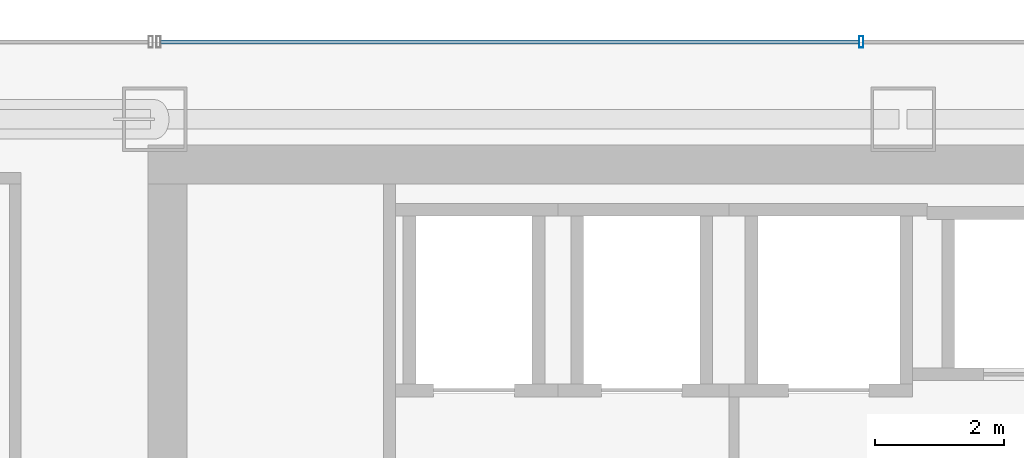
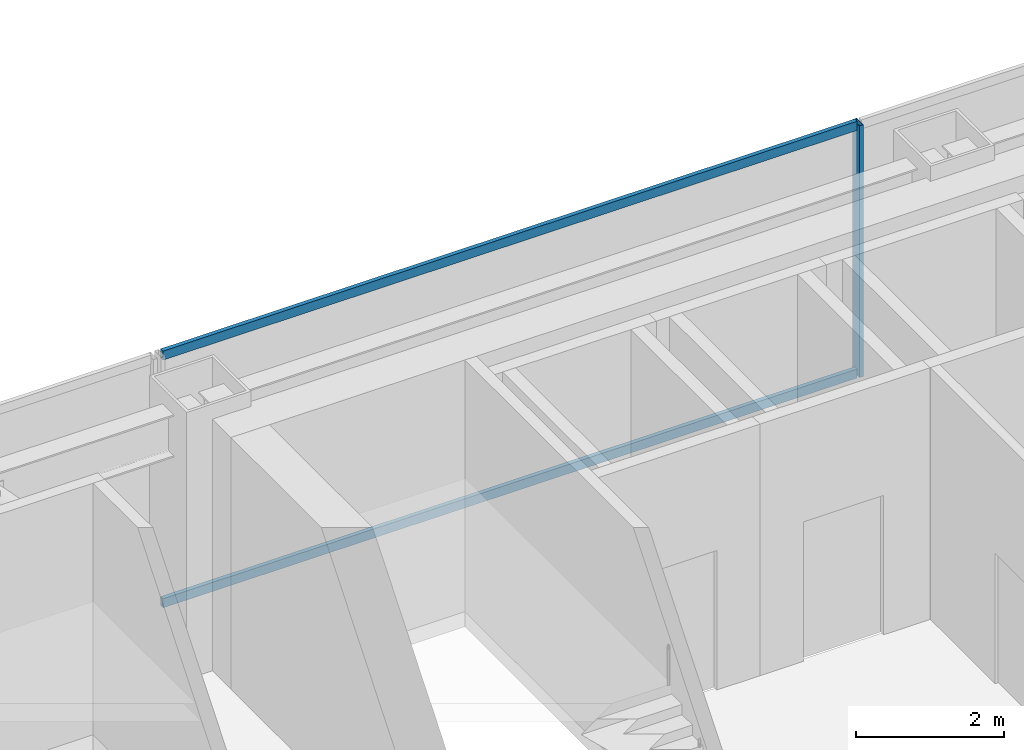
# One storey, part 24 of 37: 3 members, 1 element without a shape of its own.
"""IFC4 building model written with IfcOpenShell, lengths in metres."""

from ifc_helpers import new_model, si_unit, direction, frame, origin, origin_2d, place, context, subcontext, project, spatial, hollow_rectangle, extrude, material, material_profile, profile_set, type_object, element, aggregate, save


model = new_model("IFC4")

# Units and contexts
model_context = context("Model", 3, precision=1e-05, world=origin(), true_north=direction((0.0, 1.0)))
body_context = subcontext(model_context, "Body", "Model", "MODEL_VIEW")
ifc_project = project(units=[si_unit("LENGTHUNIT", "METRE"), si_unit("AREAUNIT", "SQUARE_METRE"), si_unit("VOLUMEUNIT", "CUBIC_METRE"), si_unit("PLANEANGLEUNIT", "RADIAN"), si_unit("MASSUNIT", "GRAM", prefix="KILO")], contexts=[model_context])

# Site, building, storey
site_placement = place(None, origin())
site = spatial("IfcSite", under=ifc_project, at=site_placement, CompositionType="ELEMENT")
building_placement = place(site_placement, origin())
building = spatial("IfcBuilding", under=site, at=building_placement, Name="Saevonmaru Cultural Tower", CompositionType="ELEMENT")
storey_placement = place(building_placement, frame((0.0, 0.0, 106.0)))
storey = spatial("IfcBuildingStorey", under=building, at=storey_placement, Name="L22", CompositionType="ELEMENT", Elevation=106.0)

# Curtain wall, members
ifc_material = material(Name="Satin Bronze Anodised Aluminium", Category="aluminium")
curtain_wall_type = type_object("IfcCurtainWallType", Name="CW-TYP-A", PredefinedType="NOTDEFINED", material=ifc_material)
curtain_wall_placement = place(storey_placement, origin())
curtain_wall = element("IfcCurtainWall", 1, at=curtain_wall_placement, inside=storey, type_object=curtain_wall_type, Name="L22 North Spine Unitised Curtain Wall E10B", PredefinedType="NOTDEFINED")
ifc_material_profile_1 = material_profile(ifc_material, hollow_rectangle(XDim=0.06494140625, YDim=0.179931640625, WallThickness=0.00390625, at=origin_2d()), Name="ALU-MULL-180x65x4")
ifc_profile_set_1 = profile_set([ifc_material_profile_1], Name="Satin Bronze Anodised Aluminium")
member_type_1 = type_object("IfcMemberType", Name="ML-CW-180x65", PredefinedType="MULLION", material=ifc_profile_set_1)
member_1_placement = place(storey_placement, frame((24.55322265625, 56.0, 0.0), z_axis=(0.0, 0.0, 1.0), x_axis=(-1.0, 0.0, 0.0)))
member_1 = element("IfcMember", 2, at=member_1_placement, type_object=member_type_1, Name="CW-TW-L22-E10B mullion 3", PredefinedType="MULLION", context=body_context, shape_type="SweptSolid", body=[
    extrude(hollow_rectangle(XDim=0.06494140625, YDim=0.179931640625, WallThickness=0.00390625, at=origin_2d()), origin(), (0.0, 0.0, 1.0), 4.14990234375),
])
ifc_material_profile_2 = material_profile(ifc_material, hollow_rectangle(XDim=0.06494140625, YDim=0.14990234375, WallThickness=0.00390625, at=origin_2d()), Name="ALU-TRAN-150x65x4")
ifc_profile_set_2 = profile_set([ifc_material_profile_2], Name="Satin Bronze Anodised Aluminium")
member_type_2 = type_object("IfcMemberType", Name="TR-CW-150x65", PredefinedType="USERDEFINED", material=ifc_profile_set_2)
member_2_placement = place(storey_placement, frame((24.520751953125, 56.0, 0.032470703125), z_axis=(-1.0, 0.0, 0.0), x_axis=(0.0, -1.0, 0.0)))
member_2 = element("IfcMember", 3, at=member_2_placement, type_object=member_type_2, Name="CW-TW-L22-E10B transom 3.1", ObjectType="TRANSOM", PredefinedType="USERDEFINED", context=body_context, shape_type="SweptSolid", body=[
    extrude(hollow_rectangle(XDim=0.06494140625, YDim=0.14990234375, WallThickness=0.00390625, at=origin_2d()), origin(), (0.0, 0.0, 1.0), 10.828369140625),
])
member_3_placement = place(storey_placement, frame((24.520751953125, 56.0, 4.117431640625), z_axis=(-1.0, 0.0, 0.0), x_axis=(0.0, -1.0, 0.0)))
member_3 = element("IfcMember", 4, at=member_3_placement, type_object=member_type_2, Name="CW-TW-L22-E10B transom 3.2", ObjectType="TRANSOM", PredefinedType="USERDEFINED", context=body_context, shape_type="SweptSolid", body=[
    extrude(hollow_rectangle(XDim=0.06494140625, YDim=0.14990234375, WallThickness=0.00390625, at=origin_2d()), origin(), (0.0, 0.0, 1.0), 10.828369140625),
])
aggregate(curtain_wall, [member_1, member_2, member_3])

save(model, "model.ifc")
